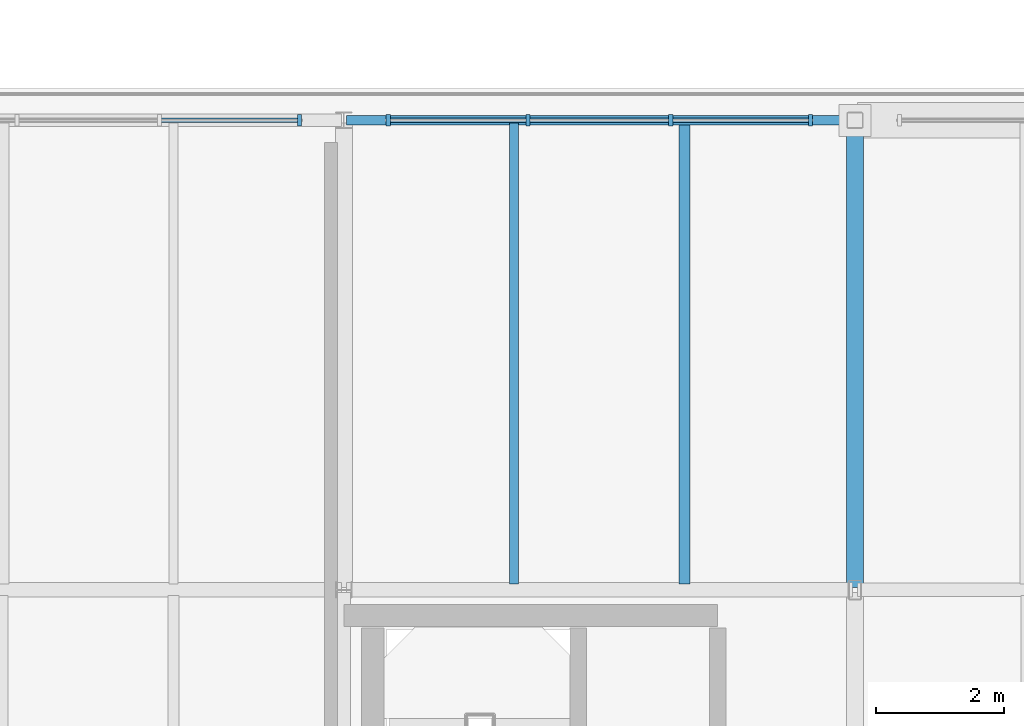
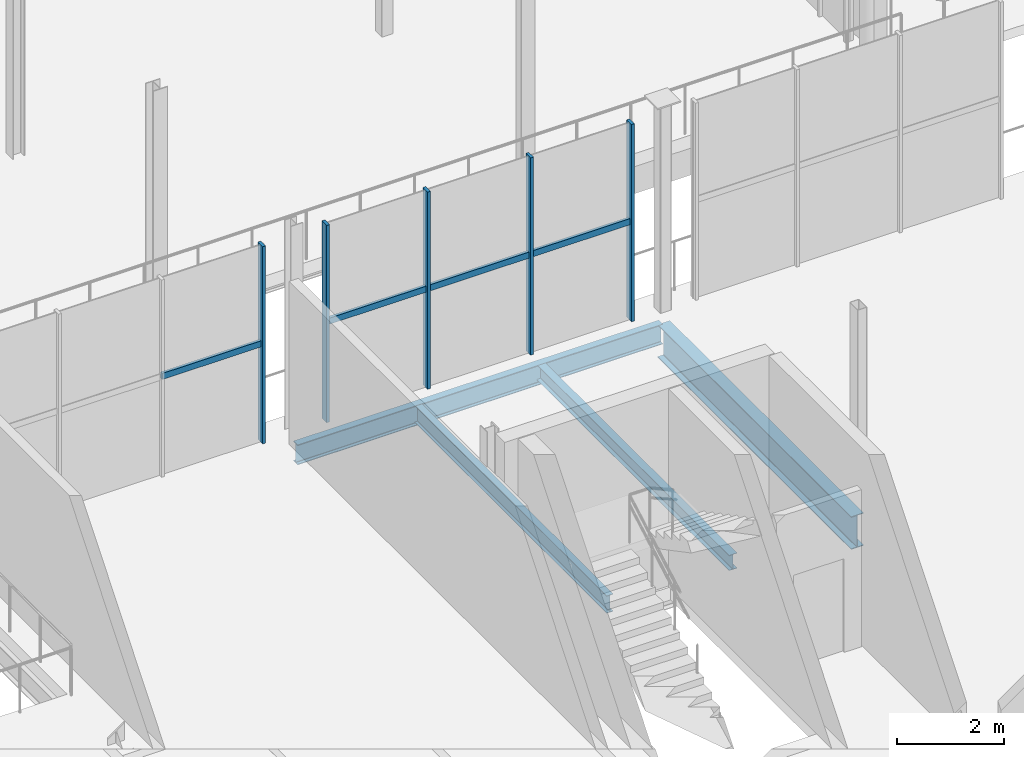
# One storey, part 39 of 93: 9 members, 4 beams, 2 elements without a shape of their own.
"""IFC4 building model written with IfcOpenShell, lengths in metres."""

import ifcopenshell
import ifcopenshell.guid

model = None  # the IFC model being written
_history = None  # IfcOwnerHistory: only IFC2X3 demands one
_inside = {}  # id of a spatial element -> (the spatial element, [elements in it])
_under = {}  # id of a project, library or spatial element -> (it, [spatial elements below it])
_declared = {}  # id of a project -> (the project, [libraries it declares])
_typed = {}  # id of a type object -> (the type object, [elements of that type])
_made_of = {}  # id of a material, layer set ... -> (it, [elements and type objects made of it])


def new_model(schema):
    """Start an empty IFC model of exactly this schema.

    Asked for "IFC4X3", IfcOpenShell would pick the latest addendum, in which some entities
    have other attributes; the version numbers below select the first issue.
    IFC2X3 requires an IfcOwnerHistory on every rooted entity: one is made here for all.
    """
    global model, _history
    if schema == "IFC4X3":
        model = ifcopenshell.file(schema_version=(4, 3, 0, 0))
    else:
        model = ifcopenshell.file(schema=schema)
    _inside.clear()
    _under.clear()
    _declared.clear()
    _typed.clear()
    _made_of.clear()
    _history = None
    if model.schema == "IFC2X3":
        org = make("IfcOrganization", Name="unknown")
        user = make(
            "IfcPersonAndOrganization",
            ThePerson=make("IfcPerson", FamilyName="unknown"),
            TheOrganization=org,
        )
        app = make(
            "IfcApplication",
            ApplicationDeveloper=org,
            Version="unknown",
            ApplicationFullName="unknown",
            ApplicationIdentifier="unknown",
        )
        _history = make(
            "IfcOwnerHistory",
            OwningUser=user,
            OwningApplication=app,
            ChangeAction="ADDED",
            CreationDate=0,
        )
    return model


def make(cls, **values):
    """One entity of the class cls with the attributes given. An attribute that is None is left unset."""
    return model.create_entity(
        cls, **{name: value for name, value in values.items() if value is not None}
    )


def rooted(cls, **values):
    """An entity with a GlobalId (a new one), such as an element, a storey or a relation."""
    return make(cls, GlobalId=ifcopenshell.guid.new(), OwnerHistory=_history, **values)


def si_unit(unit_type, name, prefix=None):
    """IfcSIUnit, for example si_unit("LENGTHUNIT", "METRE", prefix="MILLI")."""
    return make("IfcSIUnit", UnitType=unit_type, Prefix=prefix, Name=name)


def assignment(units):
    """IfcUnitAssignment: the units of a project."""
    return None if units is None else make("IfcUnitAssignment", Units=units)


def point(xyz):
    """IfcCartesianPoint."""
    return None if xyz is None else make("IfcCartesianPoint", Coordinates=xyz)


def direction(xyz):
    """IfcDirection."""
    return None if xyz is None else make("IfcDirection", DirectionRatios=xyz)


def frame(location, z_axis=None, x_axis=None):
    """IfcAxis2Placement3D, a coordinate frame: its origin and axes. An axis left out is left unset."""
    return make(
        "IfcAxis2Placement3D",
        Location=point(location),
        Axis=direction(z_axis),
        RefDirection=direction(x_axis),
    )


def frame_2d(location, x_axis=None):
    """IfcAxis2Placement2D, a coordinate frame in the plane: its origin and x axis."""
    return make(
        "IfcAxis2Placement2D", Location=point(location), RefDirection=direction(x_axis)
    )


def origin():
    """The frame at (0, 0, 0) with its axes left unset."""
    return frame((0.0, 0.0, 0.0))


def origin_2d():
    """The frame at (0, 0) in the plane with its x axis left unset."""
    return frame_2d((0.0, 0.0))


def place(relative_to, where):
    """IfcLocalPlacement: puts the frame where relative to a parent placement (None: the world)."""
    return make(
        "IfcLocalPlacement", PlacementRelTo=relative_to, RelativePlacement=where
    )


def context(
    kind, dimensions, precision=None, world=None, true_north=None, identifier=None
):
    """IfcGeometricRepresentationContext, for example the 3D "Model" context."""
    return make(
        "IfcGeometricRepresentationContext",
        ContextIdentifier=identifier,
        ContextType=kind,
        CoordinateSpaceDimension=dimensions,
        Precision=precision,
        WorldCoordinateSystem=world,
        TrueNorth=true_north,
    )


def subcontext(parent, identifier, kind, view, scale=None):
    """IfcGeometricRepresentationSubContext, for example "Body" below "Model"."""
    return make(
        "IfcGeometricRepresentationSubContext",
        ContextIdentifier=identifier,
        ContextType=kind,
        ParentContext=parent,
        TargetScale=scale,
        TargetView=view,
    )


def project(units=None, contexts=None):
    """IfcProject with its units and contexts."""
    return rooted(
        "IfcProject",
        Name="project",
        RepresentationContexts=contexts,
        UnitsInContext=assignment(units),
    )


def spatial(cls, under=None, at=None, **own):
    """A site, building, storey or space (cls), placed at a placement, below another one or the project."""
    s = rooted(cls, ObjectPlacement=at, **own)
    if under is not None:
        _under.setdefault(under.id(), (under, []))[1].append(s)
    return s


def profile(cls, at=None, kind="AREA", **sizes):
    """A parametric profile (cls). Its sizes go by their IFC names, for example OverallWidth=200.0."""
    return make(cls, ProfileType=kind, Position=at, **sizes)


def rectangle(**sizes):
    """IfcRectangleProfileDef."""
    return profile("IfcRectangleProfileDef", **sizes)


def i_section(**sizes):
    """IfcIShapeProfileDef."""
    return profile("IfcIShapeProfileDef", **sizes)


def extrude(swept, where, along, depth):
    """IfcExtrudedAreaSolid: the profile swept, set in the frame where, extruded along a direction by depth."""
    return make(
        "IfcExtrudedAreaSolid",
        SweptArea=swept,
        Position=where,
        ExtrudedDirection=direction(along),
        Depth=depth,
    )


def shape(context_of_items, identifier, shape_type, items):
    """IfcShapeRepresentation: the items that make up one representation, for example the "Body"."""
    return make(
        "IfcShapeRepresentation",
        ContextOfItems=context_of_items,
        RepresentationIdentifier=identifier,
        RepresentationType=shape_type,
        Items=items,
    )


def material(Name=None, Category=None):
    """IfcMaterial."""
    return make("IfcMaterial", Name=Name, Category=Category)


def material_profile(
    of_material, cross_section, Name=None, Category=None, Priority=None
):
    """IfcMaterialProfile: a cross section and its material."""
    return make(
        "IfcMaterialProfile",
        Name=Name,
        Material=of_material,
        Profile=cross_section,
        Priority=Priority,
        Category=Category,
    )


def profile_set(profiles, Name=None, composite=None):
    """IfcMaterialProfileSet."""
    return make(
        "IfcMaterialProfileSet",
        Name=Name,
        MaterialProfiles=profiles,
        CompositeProfile=composite,
    )


def made_of(thing, what):
    """Note that an element or type object is made of a material, layer set ...; save() writes the relation."""
    if what is not None:
        _made_of.setdefault(what.id(), (what, []))[1].append(thing)
    return thing


def type_object(cls, material=None, **own):
    """A type object (cls), such as IfcWallType, which elements share."""
    return made_of(rooted(cls, **own), material)


def element(
    cls,
    number,
    at=None,
    inside=None,
    cuts=None,
    type_object=None,
    material=None,
    context=None,
    identifier="Body",
    shape_type=None,
    held_by="IfcProductDefinitionShape",
    body=None,
    shapes=None,
    **own,
):
    """One element of the class cls, such as IfcWall. Its Tag is "e" and its number.

    at: its placement. inside: the storey or other place that contains it. cuts: it is an
    opening in that element (IfcRelVoidsElement). A single representation is given by context,
    identifier, shape_type and body (its items); several are given by shapes. held_by: the class
    of the entity that holds the representations. save() writes the other relations.
    """
    e = rooted(cls, Tag="e%d" % number, ObjectPlacement=at, **own)
    if body is not None:
        shapes = [shape(context, identifier, shape_type, body)]
    if shapes is not None:
        e.Representation = make(held_by, Representations=shapes)
    if inside is not None:
        _inside.setdefault(inside.id(), (inside, []))[1].append(e)
    if cuts is not None:
        rooted(
            "IfcRelVoidsElement", RelatingBuildingElement=cuts, RelatedOpeningElement=e
        )
    if type_object is not None:
        _typed.setdefault(type_object.id(), (type_object, []))[1].append(e)
    return made_of(e, material)


def aggregate(whole, parts):
    """IfcRelAggregates: a whole, such as a stair, and the parts it consists of."""
    return rooted("IfcRelAggregates", RelatingObject=whole, RelatedObjects=parts)


def save(model, path):
    """Write the relations noted so far, then the file.

    IfcRelAggregates (storeys below a building ...), IfcRelContainedInSpatialStructure (elements
    in a storey), IfcRelDefinesByType, IfcRelAssociatesMaterial and IfcRelDeclares: one each for
    every whole, place, type object, material and project.
    """
    for whole, parts in _under.values():
        aggregate(whole, parts)
    for where, things in _inside.values():
        rooted(
            "IfcRelContainedInSpatialStructure",
            RelatedElements=things,
            RelatingStructure=where,
        )
    for kind, things in _typed.values():
        rooted("IfcRelDefinesByType", RelatedObjects=things, RelatingType=kind)
    for what, things in _made_of.values():
        rooted("IfcRelAssociatesMaterial", RelatedObjects=things, RelatingMaterial=what)
    for by, libraries in _declared.values():
        rooted("IfcRelDeclares", RelatingContext=by, RelatedDefinitions=libraries)
    model.write(path)


model = new_model("IFC4")

# Units and contexts
model_context = context("Model", 3, precision=1e-05, world=origin(), true_north=direction((0.0, 1.0)))
body_context = subcontext(model_context, "Body", "Model", "MODEL_VIEW")
ifc_project = project(units=[si_unit("LENGTHUNIT", "METRE"), si_unit("AREAUNIT", "SQUARE_METRE"), si_unit("VOLUMEUNIT", "CUBIC_METRE"), si_unit("PLANEANGLEUNIT", "RADIAN"), si_unit("MASSUNIT", "GRAM", prefix="KILO")], contexts=[model_context])

# Site, building, storey
site_placement = place(None, origin())
site = spatial("IfcSite", under=ifc_project, at=site_placement, CompositionType="ELEMENT")
building_placement = place(site_placement, origin())
building = spatial("IfcBuilding", under=site, at=building_placement, Name="Brisemont Oceanarium", CompositionType="ELEMENT")
storey_placement = place(building_placement, frame((0.0, 0.0, 5.39990234375)))
storey = spatial("IfcBuildingStorey", under=building, at=storey_placement, Name="L01", CompositionType="ELEMENT", Elevation=5.39990234375)

# Beams
ifc_material_1 = material(Name="Structural Steel ASTM A992 Gr.50", Category="steel")
ifc_material_profile_1 = material_profile(ifc_material_1, i_section(OverallWidth=0.1708984375, OverallDepth=0.35107421875, WebThickness=0.0068359375, FlangeThickness=0.009765625, FilletRadius=0.010009765625, at=origin_2d()), Name="W14X30")
ifc_profile_set_1 = profile_set([ifc_material_profile_1], Name="Structural Steel ASTM A992 Gr.50")
beam_type_1 = type_object("IfcBeamType", Name="BM-W14X30", PredefinedType="JOIST", material=ifc_profile_set_1)
beam_1_placement = place(storey_placement, frame((133.333251953125, 24.090087890625, -0.475341796875), z_axis=(0.0, 1.0, 0.0), x_axis=(-1.0, 0.0, 0.0)))
element("IfcBeam", 1, at=beam_1_placement, inside=storey, type_object=beam_type_1, Name="V3 L01 secondary floor beam", PredefinedType="JOIST", context=body_context, shape_type="SweptSolid", body=[
    extrude(i_section(OverallWidth=0.1708984375, OverallDepth=0.35107421875, WebThickness=0.0068359375, FlangeThickness=0.009765625, FilletRadius=0.010009765625, at=origin_2d()), origin(), (0.0, 0.0, 1.0), 7.219970703125),
])
ifc_material_2 = material(Name="Structural Steel ASTM A992 Gr.50", Category="steel")
ifc_material_profile_2 = material_profile(ifc_material_2, i_section(OverallWidth=0.139892578125, OverallDepth=0.39892578125, WebThickness=0.00634765625, FlangeThickness=0.0087890625, FilletRadius=0.010009765625, at=origin_2d()), Name="W16X26")
ifc_profile_set_2 = profile_set([ifc_material_profile_2], Name="Structural Steel ASTM A992 Gr.50")
beam_type_2 = type_object("IfcBeamType", Name="BM-W16X26", PredefinedType="JOIST", material=ifc_profile_set_2)
beam_2_placement = place(storey_placement, frame((130.666748046875, 24.090087890625, -0.49951171875), z_axis=(0.0, 1.0, 0.0), x_axis=(-1.0, 0.0, 0.0)))
element("IfcBeam", 2, at=beam_2_placement, inside=storey, type_object=beam_type_2, Name="V3 L01 secondary floor beam", PredefinedType="JOIST", context=body_context, shape_type="SweptSolid", body=[
    extrude(i_section(OverallWidth=0.139892578125, OverallDepth=0.39892578125, WebThickness=0.00634765625, FlangeThickness=0.0087890625, FilletRadius=0.010009765625, at=origin_2d()), origin(), (0.0, 0.0, 1.0), 7.219970703125),
])
ifc_material_3 = material(Name="Structural Steel ASTM A992 Gr.50", Category="steel")
ifc_material_profile_3 = material_profile(ifc_material_3, i_section(OverallWidth=0.154052734375, OverallDepth=0.458984375, WebThickness=0.009033203125, FlangeThickness=0.015380859375, FilletRadius=0.010986328125, at=origin_2d()), Name="W18X46")
ifc_profile_set_3 = profile_set([ifc_material_profile_3], Name="Structural Steel ASTM A992 Gr.50")
beam_type_3 = type_object("IfcBeamType", Name="BM-W18X46", PredefinedType="SPANDREL", material=ifc_profile_set_3)
beam_3_placement = place(storey_placement, frame((128.0400390625, 31.35009765625, -0.529296875), z_axis=(1.0, 0.0, 0.0), x_axis=(0.0, 1.0, 0.0)))
element("IfcBeam", 3, at=beam_3_placement, inside=storey, type_object=beam_type_3, Name="V3 L01 EW girder", PredefinedType="SPANDREL", context=body_context, shape_type="SweptSolid", body=[
    extrude(i_section(OverallWidth=0.154052734375, OverallDepth=0.458984375, WebThickness=0.009033203125, FlangeThickness=0.015380859375, FilletRadius=0.010986328125, at=origin_2d()), origin(), (0.0, 0.0, 1.0), 7.919921875),
])
ifc_material_4 = material(Name="Structural Steel ASTM A992 Gr.50", Category="steel")
ifc_material_profile_4 = material_profile(ifc_material_4, i_section(OverallWidth=0.264892578125, OverallDepth=0.7529296875, WebThickness=0.01318359375, FlangeThickness=0.01708984375, FilletRadius=0.01611328125, at=origin_2d()), Name="W30X99")
ifc_profile_set_4 = profile_set([ifc_material_profile_4], Name="Structural Steel ASTM A992 Gr.50")
beam_type_4 = type_object("IfcBeamType", Name="BM-W30X99", PredefinedType="BEAM", material=ifc_profile_set_4)
beam_4_placement = place(storey_placement, frame((136.0, 24.0400390625, -0.676513671875), z_axis=(0.0, 1.0, 0.0), x_axis=(-1.0, 0.0, 0.0)))
element("IfcBeam", 4, at=beam_4_placement, inside=storey, type_object=beam_type_4, Name="V3 L01 NS girder", PredefinedType="BEAM", context=body_context, shape_type="SweptSolid", body=[
    extrude(i_section(OverallWidth=0.264892578125, OverallDepth=0.7529296875, WebThickness=0.01318359375, FlangeThickness=0.01708984375, FilletRadius=0.01611328125, at=origin_2d()), origin(), (0.0, 0.0, 1.0), 7.27001953125),
])

# Curtain wall, member
ifc_material_5 = material(Name="Anodized Extruded Aluminum 6063-T6", Category="aluminium")
curtain_wall_type = type_object("IfcCurtainWallType", Name="CW-EDU-58X43", PredefinedType="NOTDEFINED", material=ifc_material_5)
curtain_wall_1_placement = place(storey_placement, origin())
curtain_wall_1 = element("IfcCurtainWall", 5, at=curtain_wall_1_placement, inside=storey, type_object=curtain_wall_type, Name="CW-10 curtain wall CW-V3-N-L01-01", PredefinedType="NOTDEFINED")
ifc_material_6 = material(Name="Anodized Extruded Aluminum 6063-T6", Category="aluminium")
ifc_material_profile_5 = material_profile(ifc_material_6, rectangle(XDim=0.06494140625, YDim=0.179931640625, at=origin_2d()), Name="CWM-65X180")
ifc_profile_set_5 = profile_set([ifc_material_profile_5], Name="Anodized Extruded Aluminum 6063-T6")
member_type_1 = type_object("IfcMemberType", Name="MEM-CWM-65", PredefinedType="MULLION", material=ifc_profile_set_5)
member_1_placement = place(storey_placement, frame((127.304931640625, 31.35009765625, 0.0), z_axis=(0.0, 0.0, 1.0), x_axis=(1.0, 0.0, 0.0)))
member_1 = element("IfcMember", 6, at=member_1_placement, type_object=member_type_1, Name="CW-V3-N-L01-01 mullion 4", PredefinedType="MULLION", context=body_context, shape_type="SweptSolid", body=[
    extrude(rectangle(XDim=0.06494140625, YDim=0.179931640625, at=origin_2d()), origin(), (0.0, 0.0, 1.0), 4.52001953125),
])

# Curtain wall, members
curtain_wall_2_placement = place(storey_placement, origin())
curtain_wall_2 = element("IfcCurtainWall", 7, at=curtain_wall_2_placement, inside=storey, type_object=curtain_wall_type, Name="CW-10 curtain wall CW-V3-N-L01-02", PredefinedType="NOTDEFINED")
member_2_placement = place(storey_placement, frame((128.695068359375, 31.35009765625, 0.0), z_axis=(0.0, 0.0, 1.0), x_axis=(1.0, 0.0, 0.0)))
member_2 = element("IfcMember", 8, at=member_2_placement, type_object=member_type_1, Name="CW-V3-N-L01-02 mullion 1", PredefinedType="MULLION", context=body_context, shape_type="SweptSolid", body=[
    extrude(rectangle(XDim=0.06494140625, YDim=0.179931640625, at=origin_2d()), origin(), (0.0, 0.0, 1.0), 4.52001953125),
])
member_3_placement = place(storey_placement, frame((130.88330078125, 31.35009765625, 0.0), z_axis=(0.0, 0.0, 1.0), x_axis=(1.0, 0.0, 0.0)))
member_3 = element("IfcMember", 9, at=member_3_placement, type_object=member_type_1, Name="CW-V3-N-L01-02 mullion 2", PredefinedType="MULLION", context=body_context, shape_type="SweptSolid", body=[
    extrude(rectangle(XDim=0.06494140625, YDim=0.179931640625, at=origin_2d()), origin(), (0.0, 0.0, 1.0), 4.52001953125),
])
member_4_placement = place(storey_placement, frame((133.11669921875, 31.35009765625, 0.0), z_axis=(0.0, 0.0, 1.0), x_axis=(1.0, 0.0, 0.0)))
member_4 = element("IfcMember", 10, at=member_4_placement, type_object=member_type_1, Name="CW-V3-N-L01-02 mullion 3", PredefinedType="MULLION", context=body_context, shape_type="SweptSolid", body=[
    extrude(rectangle(XDim=0.06494140625, YDim=0.179931640625, at=origin_2d()), origin(), (0.0, 0.0, 1.0), 4.52001953125),
])
member_5_placement = place(storey_placement, frame((135.304931640625, 31.35009765625, 0.0), z_axis=(0.0, 0.0, 1.0), x_axis=(1.0, 0.0, 0.0)))
member_5 = element("IfcMember", 11, at=member_5_placement, type_object=member_type_1, Name="CW-V3-N-L01-02 mullion 4", PredefinedType="MULLION", context=body_context, shape_type="SweptSolid", body=[
    extrude(rectangle(XDim=0.06494140625, YDim=0.179931640625, at=origin_2d()), origin(), (0.0, 0.0, 1.0), 4.52001953125),
])

# Member
ifc_material_7 = material(Name="Anodized Extruded Aluminum 6063-T6", Category="aluminium")
ifc_material_profile_6 = material_profile(ifc_material_7, rectangle(XDim=0.06494140625, YDim=0.139892578125, at=origin_2d()), Name="CWT-65X140")
ifc_profile_set_6 = profile_set([ifc_material_profile_6], Name="Anodized Extruded Aluminum 6063-T6")
member_type_2 = type_object("IfcMemberType", Name="MEM-CWT-65", PredefinedType="USERDEFINED", material=ifc_profile_set_6)
member_6_placement = place(storey_placement, frame((125.131591796875, 31.35009765625, 2.260009765625), z_axis=(1.0, 0.0, 0.0), x_axis=(0.0, 1.0, 0.0)))
member_6 = element("IfcMember", 12, at=member_6_placement, type_object=member_type_2, Name="CW-V3-N-L01-01 transom 3.1", ObjectType="TRANSOM", PredefinedType="USERDEFINED", context=body_context, shape_type="SweptSolid", body=[
    extrude(rectangle(XDim=0.06494140625, YDim=0.139892578125, at=origin_2d()), origin(), (0.0, 0.0, 1.0), 2.203369140625),
])

aggregate(curtain_wall_1, [member_1, member_6])

member_7_placement = place(storey_placement, frame((128.6650390625, 31.35009765625, 2.260009765625), z_axis=(1.0, 0.0, 0.0), x_axis=(0.0, 1.0, 0.0)))
member_7 = element("IfcMember", 13, at=member_7_placement, type_object=member_type_2, Name="CW-V3-N-L01-02 transom 1.1", ObjectType="TRANSOM", PredefinedType="USERDEFINED", context=body_context, shape_type="SweptSolid", body=[
    extrude(rectangle(XDim=0.06494140625, YDim=0.139892578125, at=origin_2d()), origin(), (0.0, 0.0, 1.0), 2.203369140625),
])

member_8_placement = place(storey_placement, frame((130.898193359375, 31.35009765625, 2.260009765625), z_axis=(1.0, 0.0, 0.0), x_axis=(0.0, 1.0, 0.0)))
member_8 = element("IfcMember", 14, at=member_8_placement, type_object=member_type_2, Name="CW-V3-N-L01-02 transom 2.1", ObjectType="TRANSOM", PredefinedType="USERDEFINED", context=body_context, shape_type="SweptSolid", body=[
    extrude(rectangle(XDim=0.06494140625, YDim=0.139892578125, at=origin_2d()), origin(), (0.0, 0.0, 1.0), 2.20361328125),
])

member_9_placement = place(storey_placement, frame((133.131591796875, 31.35009765625, 2.260009765625), z_axis=(1.0, 0.0, 0.0), x_axis=(0.0, 1.0, 0.0)))
member_9 = element("IfcMember", 15, at=member_9_placement, type_object=member_type_2, Name="CW-V3-N-L01-02 transom 3.1", ObjectType="TRANSOM", PredefinedType="USERDEFINED", context=body_context, shape_type="SweptSolid", body=[
    extrude(rectangle(XDim=0.06494140625, YDim=0.139892578125, at=origin_2d()), origin(), (0.0, 0.0, 1.0), 2.203369140625),
])

aggregate(curtain_wall_2, [member_2, member_3, member_4, member_5, member_7, member_8, member_9])

save(model, "model.ifc")
